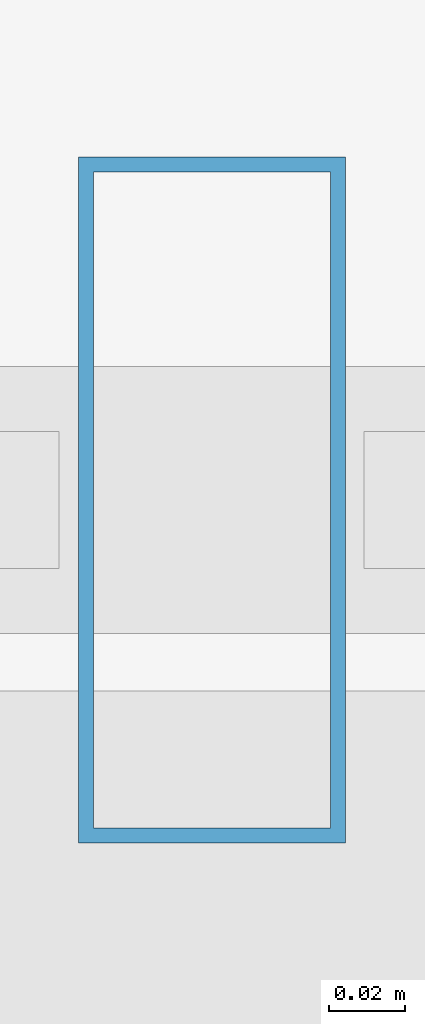
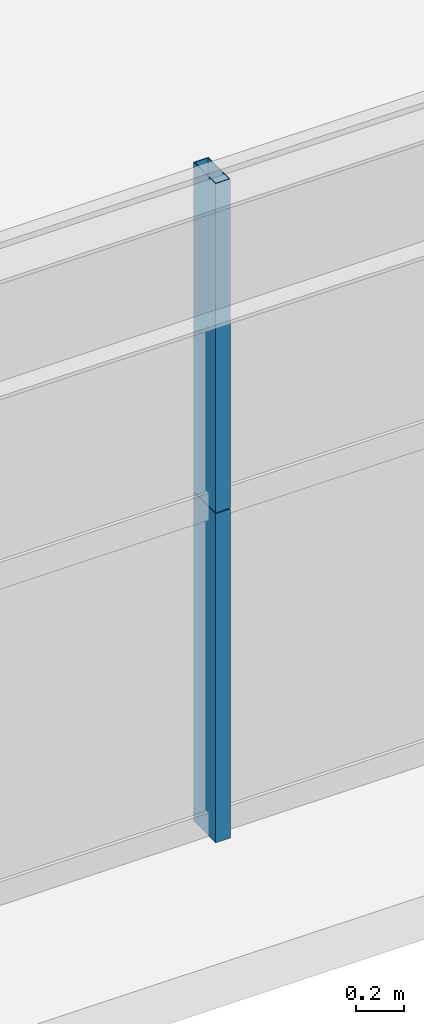
# One storey, part 13 of 43: 2 members, 1 element without a shape of its own.
"""IFC4 building model written with IfcOpenShell, lengths in metres."""

from ifc_helpers import new_model, si_unit, direction, frame, origin, origin_2d, place, context, subcontext, project, spatial, hollow_rectangle, extrude, source, transform, mapped, material, layer, layer_set, material_profile, profile_set, type_object, element, aggregate, save


model = new_model("IFC4")

# Units and contexts
model_context = context("Model", 3, precision=1e-05, world=origin(), true_north=direction((0.0, 1.0)))
body_context = subcontext(model_context, "Body", "Model", "MODEL_VIEW")
ifc_project = project(units=[si_unit("LENGTHUNIT", "METRE"), si_unit("AREAUNIT", "SQUARE_METRE"), si_unit("VOLUMEUNIT", "CUBIC_METRE"), si_unit("PLANEANGLEUNIT", "RADIAN"), si_unit("MASSUNIT", "GRAM", prefix="KILO"), si_unit("THERMODYNAMICTEMPERATUREUNIT", "KELVIN"), si_unit("POWERUNIT", "WATT")], contexts=[model_context])

# Site, building, storey
site_placement = place(None, origin())
site = spatial("IfcSite", under=ifc_project, at=site_placement, CompositionType="ELEMENT")
building_placement = place(site_placement, origin())
building = spatial("IfcBuilding", under=site, at=building_placement, Name="Yuzanri Waterfront Tower", CompositionType="ELEMENT")
storey_placement = place(building_placement, frame((0.0, 0.0, 37.800048828125)))
storey = spatial("IfcBuildingStorey", under=building, at=storey_placement, Name="L09", CompositionType="ELEMENT", Elevation=37.800048828125)

# Curtain wall, members
ifc_material_1 = material(Name="Anodized Architectural Bronze", Category="metal")
ifc_layer = layer(ifc_material_1, 0.159912109375)
ifc_layer_set = layer_set([ifc_layer], Name="Anodized Architectural Bronze")
curtain_wall_type = type_object("IfcCurtainWallType", Name="Anodized Bronze Hotel Lower-Tier Recessed Unitized Curtain Wall 8100", PredefinedType="NOTDEFINED", material=ifc_layer_set)
curtain_wall_placement = place(storey_placement, origin())
curtain_wall = element("IfcCurtainWall", 1, at=curtain_wall_placement, inside=storey, type_object=curtain_wall_type, Name="L09 Curtain Wall CW-L09-SR", PredefinedType="NOTDEFINED")
ifc_material_2 = material(Name="Anodized Architectural Bronze", Category="metal")
ifc_material_profile = material_profile(ifc_material_2, hollow_rectangle(XDim=0.070068359375, YDim=0.179931640625, WallThickness=0.00390625, at=origin_2d()), Name="CWM 70x180")
ifc_profile_set = profile_set([ifc_material_profile], Name="Anodized Architectural Bronze")
member_type = type_object("IfcMemberType", Name="Anodized Bronze Standard Curtain-Wall Mullion 70x180", PredefinedType="MULLION", material=ifc_profile_set)
shared_shape_1 = source(origin(), body_context, "Body", "SweptSolid", [
    extrude(hollow_rectangle(XDim=0.070068359375, YDim=0.179931640625, WallThickness=0.00390625, at=origin_2d()), origin(), (0.0, 0.0, 1.0), 1.657958984375),
])
member_1_placement = place(storey_placement, frame((46.10009765625, 0.85009765625, 0.0), z_axis=(0.0, 0.0, 1.0), x_axis=(1.0, 0.0, 0.0)))
member_1 = element("IfcMember", 2, at=member_1_placement, type_object=member_type, Name="CW-L09-SR Lower Mullion 01", PredefinedType="MULLION", context=body_context, shape_type="MappedRepresentation", body=[
    mapped(shared_shape_1, transform((0.0, 0.0, 0.0), scale=1.0)),
])
shared_shape_2 = source(origin(), body_context, "Body", "SweptSolid", [
    extrude(hollow_rectangle(XDim=0.070068359375, YDim=0.179931640625, WallThickness=0.00390625, at=origin_2d()), origin(), (0.0, 0.0, 1.0), 1.658203125),
])
member_2_placement = place(storey_placement, frame((46.10009765625, 0.85009765625, 1.661865234375), z_axis=(0.0, 0.0, 1.0), x_axis=(1.0, 0.0, 0.0)))
member_2 = element("IfcMember", 3, at=member_2_placement, type_object=member_type, Name="CW-L09-SR Upper Mullion 01", PredefinedType="MULLION", context=body_context, shape_type="MappedRepresentation", body=[
    mapped(shared_shape_2, transform((0.0, 0.0, 0.0), scale=1.0)),
])
aggregate(curtain_wall, [member_1, member_2])

save(model, "model.ifc")
